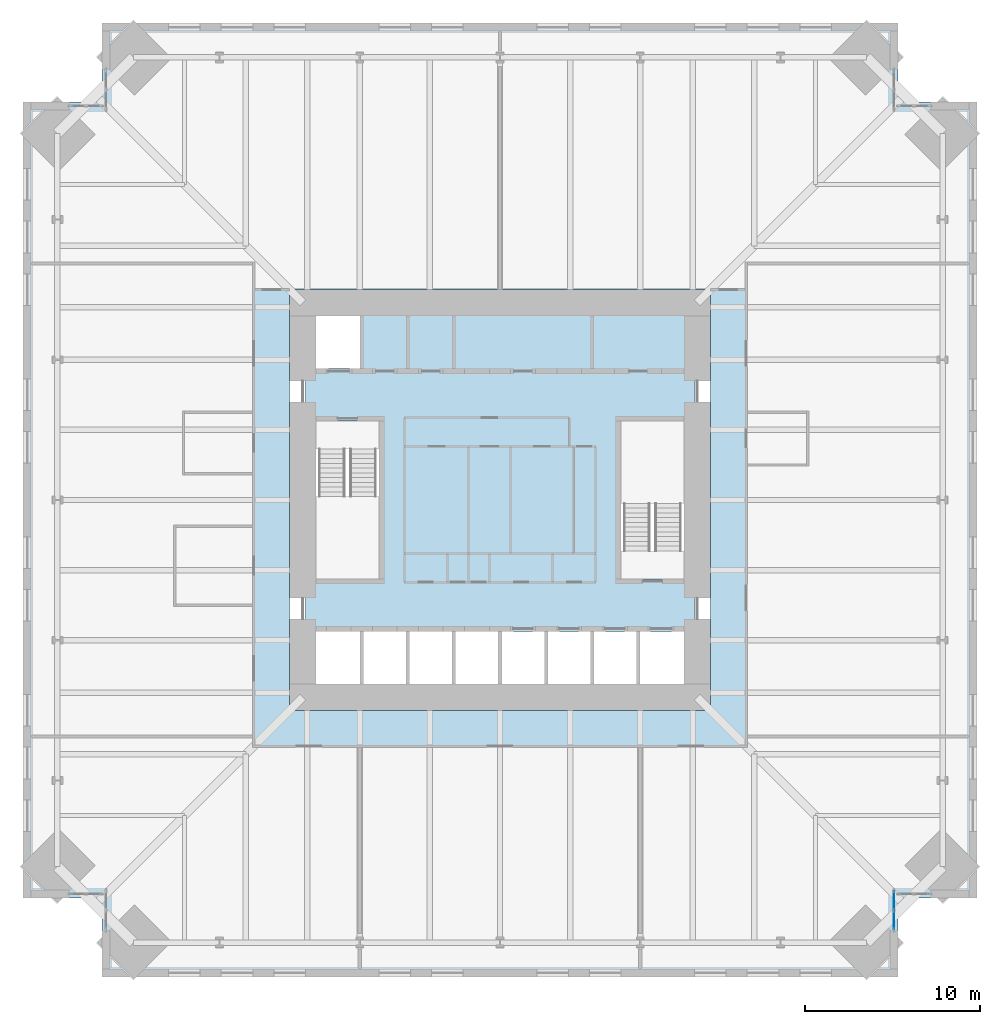
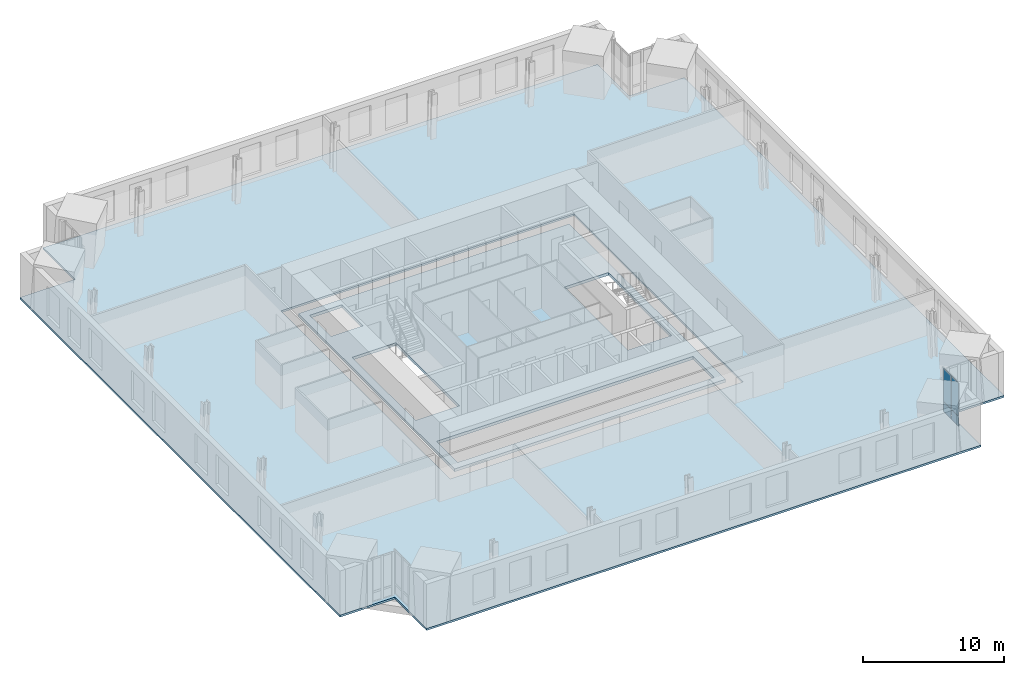
# One storey, part 10 of 16: 4 plates, 2 slabs, 1 element without a shape of its own.
"""IFC4 building model written with IfcOpenShell, lengths in metres."""

from ifc_helpers import new_model, si_unit, direction, frame, origin, origin_2d, place, context, subcontext, project, spatial, polyline, rectangle, outline, extrude, material, layer, layer_set, type_object, element, aggregate, save


model = new_model("IFC4")

# Units and contexts
model_context = context("Model", 3, precision=1e-05, world=origin(), true_north=direction((0.0, 1.0)))
body_context = subcontext(model_context, "Body", "Model", "MODEL_VIEW")
ifc_project = project(units=[si_unit("LENGTHUNIT", "METRE"), si_unit("AREAUNIT", "SQUARE_METRE"), si_unit("VOLUMEUNIT", "CUBIC_METRE"), si_unit("PLANEANGLEUNIT", "RADIAN"), si_unit("MASSUNIT", "GRAM", prefix="KILO")], contexts=[model_context])

# Site, building, storey
site_placement = place(None, origin())
site = spatial("IfcSite", under=ifc_project, at=site_placement, CompositionType="ELEMENT")
building_placement = place(site_placement, origin())
building = spatial("IfcBuilding", under=site, at=building_placement, Name="Peilmerk Tower", CompositionType="ELEMENT")
storey_placement = place(building_placement, frame((0.0, 0.0, 139.800048828125)))
storey = spatial("IfcBuildingStorey", under=building, at=storey_placement, Name="L28", CompositionType="ELEMENT", Elevation=139.800048828125)

# Slab
ifc_material_1 = material(Name="Concrete C55/67", Category="concrete")
ifc_layer_1 = layer(ifc_material_1, 0.25)
ifc_layer_set_1 = layer_set([ifc_layer_1], Name="Concrete C55/67")
slab_type_1 = type_object("IfcSlabType", Name="CS250 250 core floor slab", PredefinedType="FLOOR", material=ifc_layer_set_1)
slab_1_placement = place(storey_placement, frame((0.0, 0.0, -0.25)))
element("IfcSlab", 1, at=slab_1_placement, inside=storey, type_object=slab_type_1, Name="Core slab L28", PredefinedType="FLOOR", context=body_context, shape_type="SweptSolid", body=[
    extrude(outline(polyline([(11.10009765625, 11.10009765625), (-11.10009765625, 11.10009765625), (-11.10009765625, -11.10009765625), (11.10009765625, -11.10009765625), (11.10009765625, 11.10009765625)]), holes=[polyline([(-10.5, 7.5), (-10.5, 10.5), (-7.875, 10.5), (-7.875, 7.5), (-10.5, 7.5)]), polyline([(-10.5, -10.5), (-10.5, -7.5), (10.5, -7.5), (10.5, -10.5), (-10.5, -10.5)]), polyline([(-10.5, 4.5), (-6.89990234375, 4.5), (-6.89990234375, -4.5), (-10.5, -4.5), (-10.5, 4.5)]), polyline([(10.5, 4.5), (10.5, -4.5), (6.89990234375, -4.5), (6.89990234375, 4.5), (10.5, 4.5)])]), origin(), (0.0, 0.0, 1.0), 0.25),
])

# Curtain wall, plates
ifc_material_2 = material(Name="Aluminium stick curtain wall", Category="aluminium")
curtain_wall_type = type_object("IfcCurtainWallType", Name="CW3 stick curtain wall, 2250 module", PredefinedType="NOTDEFINED", material=ifc_material_2)
curtain_wall_placement = place(storey_placement, origin())
curtain_wall = element("IfcCurtainWall", 2, at=curtain_wall_placement, inside=storey, type_object=curtain_wall_type, Name="Curtain wall CW3 SEA L28", PredefinedType="NOTDEFINED")
ifc_material_3 = material(Name="Clear insulated glazing unit", Category="glass")
ifc_layer_2 = layer(ifc_material_3, 0.028076171875)
ifc_layer_set_2 = layer_set([ifc_layer_2], Name="Clear insulated glazing unit")
plate_type = type_object("IfcPlateType", Name="CW3-P 28 glazed panel", PredefinedType="CURTAIN_PANEL", material=ifc_layer_set_2)
plate_1_placement = place(storey_placement, frame((22.47509765625, -22.83837890625, 0.06494140625), z_axis=(0.0, 0.0, 1.0), x_axis=(0.0, -1.0, 0.0)))
plate_1 = element("IfcPlate", 3, at=plate_1_placement, type_object=plate_type, Name="CW3 panel 1.1", PredefinedType="CURTAIN_PANEL", context=body_context, shape_type="SweptSolid", body=[
    extrude(rectangle(XDim=1.046875, YDim=0.028076171875, at=origin_2d()), origin(), (0.0, 0.0, 1.0), 0.802490234375),
])
plate_2_placement = place(storey_placement, frame((22.47509765625, -22.83837890625, 0.932373046875), z_axis=(0.0, 0.0, 1.0), x_axis=(0.0, -1.0, 0.0)))
plate_2 = element("IfcPlate", 4, at=plate_2_placement, type_object=plate_type, Name="CW3 panel 1.2", PredefinedType="CURTAIN_PANEL", context=body_context, shape_type="SweptSolid", body=[
    extrude(rectangle(XDim=1.046875, YDim=0.028076171875, at=origin_2d()), origin(), (0.0, 0.0, 1.0), 2.83251953125),
])
plate_3_placement = place(storey_placement, frame((22.47509765625, -23.9501953125, 0.06494140625), z_axis=(0.0, 0.0, 1.0), x_axis=(0.0, -1.0, 0.0)))
plate_3 = element("IfcPlate", 5, at=plate_3_placement, type_object=plate_type, Name="CW3 panel 2.1", PredefinedType="CURTAIN_PANEL", context=body_context, shape_type="SweptSolid", body=[
    extrude(rectangle(XDim=1.046875, YDim=0.028076171875, at=origin_2d()), origin(), (0.0, 0.0, 1.0), 0.802490234375),
])
plate_4_placement = place(storey_placement, frame((22.47509765625, -23.9501953125, 0.932373046875), z_axis=(0.0, 0.0, 1.0), x_axis=(0.0, -1.0, 0.0)))
plate_4 = element("IfcPlate", 6, at=plate_4_placement, type_object=plate_type, Name="CW3 panel 2.2", PredefinedType="CURTAIN_PANEL", context=body_context, shape_type="SweptSolid", body=[
    extrude(rectangle(XDim=1.046875, YDim=0.028076171875, at=origin_2d()), origin(), (0.0, 0.0, 1.0), 2.83251953125),
])
aggregate(curtain_wall, [plate_1, plate_2, plate_3, plate_4])

# Slab
ifc_material_4 = material(Name="Concrete C35/45", Category="concrete")
ifc_layer_3 = layer(ifc_material_4, 0.169921875)
ifc_layer_set_3 = layer_set([ifc_layer_3], Name="Concrete C35/45")
slab_type_2 = type_object("IfcSlabType", Name="FS170 170 composite floor slab", PredefinedType="FLOOR", material=ifc_layer_set_3)
slab_2_placement = place(storey_placement, frame((0.0, 0.0, -0.170166015625)))
element("IfcSlab", 7, at=slab_2_placement, inside=storey, type_object=slab_type_2, Name="Floor slab L28", PredefinedType="FLOOR", context=body_context, shape_type="SweptSolid", body=[
    extrude(outline(polyline([(-22.699951171875, -27.199951171875), (22.699951171875, -27.199951171875), (22.699951171875, -22.699951171875), (27.199951171875, -22.699951171875), (27.199951171875, 22.699951171875), (22.699951171875, 22.699951171875), (22.699951171875, 27.199951171875), (-22.699951171875, 27.199951171875), (-22.699951171875, 22.699951171875), (-27.199951171875, 22.699951171875), (-27.199951171875, -22.699951171875), (-22.699951171875, -22.699951171875), (-22.699951171875, -27.199951171875)]), holes=[polyline([(12.0, 12.0), (12.0, -12.0), (-12.0, -12.0), (-12.0, 12.0), (12.0, 12.0)])]), origin(), (0.0, 0.0, 1.0), 0.170166015625),
])

save(model, "model.ifc")
